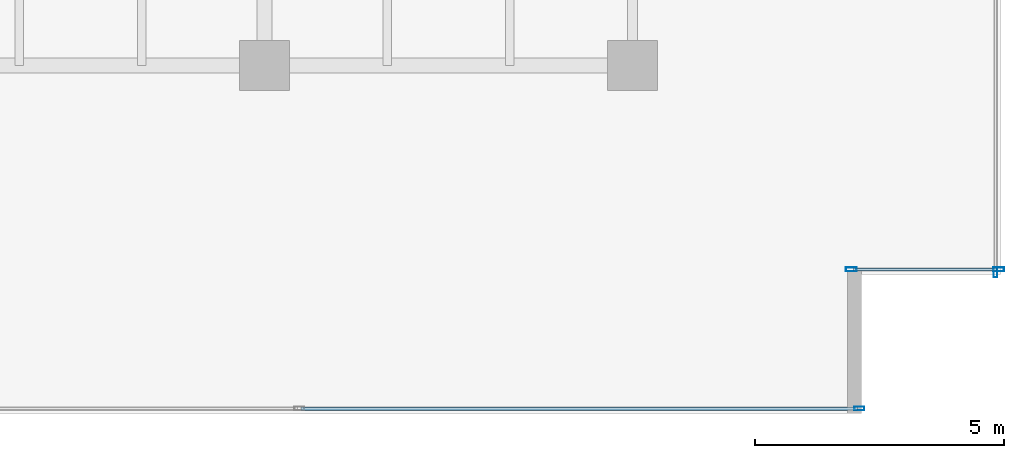
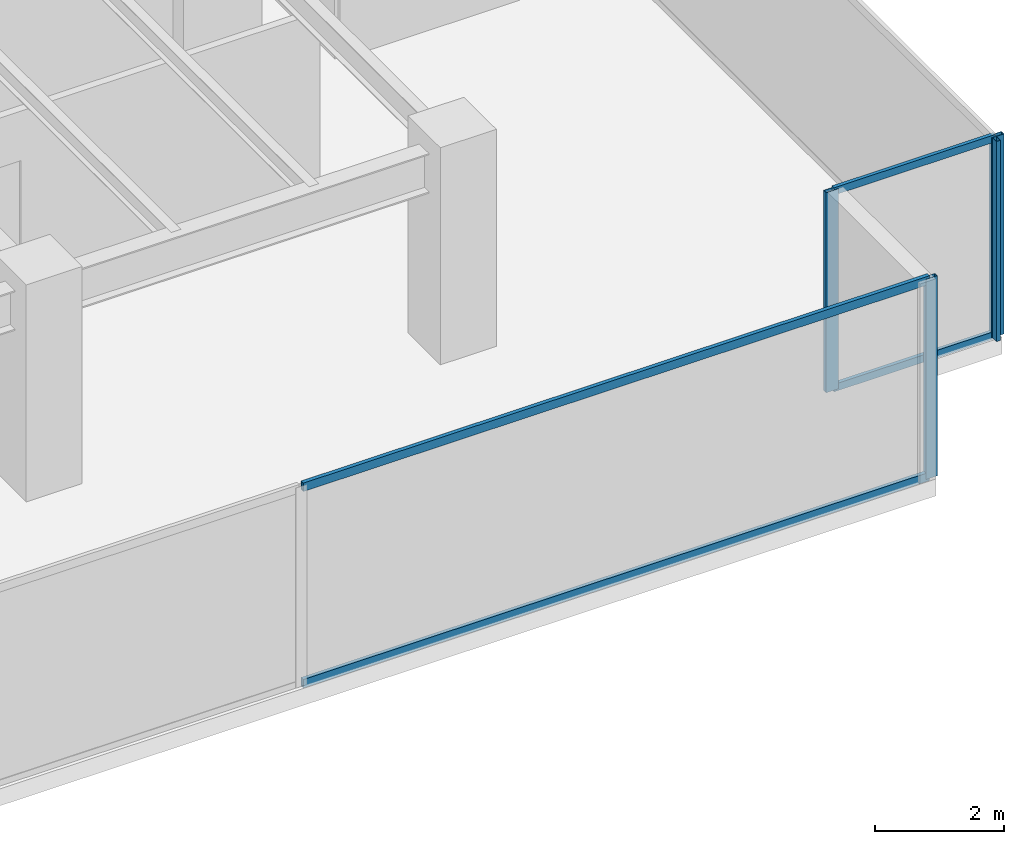
# One storey, part 23 of 35: 8 members, 3 elements without a shape of their own.
"""IFC4 building model written with IfcOpenShell, lengths in metres."""

from ifc_helpers import new_model, si_unit, direction, frame, origin, origin_2d, place, context, subcontext, project, spatial, hollow_rectangle, extrude, source, transform, mapped, material, layer, layer_set, material_profile, profile_set, type_object, type_shapes, element, aggregate, save


model = new_model("IFC4")

# Units and contexts
model_context = context("Model", 3, precision=1e-05, world=origin(), true_north=direction((0.0, 1.0)))
body_context = subcontext(model_context, "Body", "Model", "MODEL_VIEW")
ifc_project = project(units=[si_unit("LENGTHUNIT", "METRE"), si_unit("AREAUNIT", "SQUARE_METRE"), si_unit("VOLUMEUNIT", "CUBIC_METRE"), si_unit("PLANEANGLEUNIT", "RADIAN"), si_unit("MASSUNIT", "GRAM", prefix="KILO")], contexts=[model_context])

# Site, building, storey
site_placement = place(None, origin())
site = spatial("IfcSite", under=ifc_project, at=site_placement, CompositionType="ELEMENT")
building_placement = place(site_placement, origin())
building = spatial("IfcBuilding", under=site, at=building_placement, Name="Haelvirn Gate Laboratories", CompositionType="ELEMENT")
storey_placement = place(building_placement, frame((0.0, 0.0, 70.300048828125)))
storey = spatial("IfcBuildingStorey", under=building, at=storey_placement, Name="L17", CompositionType="ELEMENT", Elevation=70.300048828125)

# Curtain wall, member
ifc_material_1 = material(Name="Anodised bronze unitised aluminium & triple low-E glass", Category="aluminium")
ifc_layer_1 = layer(ifc_material_1, 0.18408203125, Name="CW-SYS-2")
ifc_layer_set_1 = layer_set([ifc_layer_1], Name="Anodised bronze unitised aluminium & triple low-E glass")
curtain_wall_type_1 = type_object("IfcCurtainWallType", Name="CW-SYS-2", PredefinedType="NOTDEFINED", material=ifc_layer_set_1)
curtain_wall_1_placement = place(storey_placement, origin())
curtain_wall_1 = element("IfcCurtainWall", 1, at=curtain_wall_1_placement, inside=storey, type_object=curtain_wall_type_1, Name="L17 Unitised Curtain Wall CW-L17-P0-E04-1", PredefinedType="NOTDEFINED")
ifc_material_2 = material(Name="Extruded aluminium 6063-T6 (anodised bronze)", Category="aluminium")
ifc_material_profile_1 = material_profile(ifc_material_2, hollow_rectangle(XDim=0.074951171875, YDim=0.199951171875, WallThickness=0.0048828125, at=origin_2d()), Name="CWM-200x75x5")
ifc_profile_set_1 = profile_set([ifc_material_profile_1], Name="Extruded aluminium 6063-T6 (anodised bronze)")
member_type_1 = type_object("IfcMemberType", Name="CWM-T200", PredefinedType="MULLION", material=ifc_profile_set_1)
shared_shape_1 = source(origin(), body_context, "Body", "SweptSolid", [
    extrude(hollow_rectangle(XDim=0.074951171875, YDim=0.199951171875, WallThickness=0.0048828125, at=origin_2d()), origin(), (0.0, 0.0, 1.0), 3.780029296875),
])
type_shapes(member_type_1, [shared_shape_1])
member_1_placement = place(storey_placement, frame((71.96240234375, 0.10009765625, 0.0), z_axis=(0.0, 0.0, 1.0), x_axis=(0.0, 1.0, 0.0)))
member_1 = element("IfcMember", 2, at=member_1_placement, type_object=member_type_1, Name="CW2 mullion 3", PredefinedType="MULLION", context=body_context, shape_type="MappedRepresentation", body=[
    mapped(shared_shape_1, transform((0.0, 0.0, 0.0), scale=1.0)),
])

curtain_wall_2_placement = place(storey_placement, origin())
curtain_wall_2 = element("IfcCurtainWall", 3, at=curtain_wall_2_placement, inside=storey, type_object=curtain_wall_type_1, Name="L17 Unitised Curtain Wall CW-L17-P0-E07", PredefinedType="NOTDEFINED")
member_2_placement = place(storey_placement, frame((74.699951171875, 2.83740234375, 0.0), z_axis=(0.0, 0.0, 1.0), x_axis=(-1.0, 0.0, 0.0)))
member_2 = element("IfcMember", 4, at=member_2_placement, type_object=member_type_1, Name="CW2 mullion 1", PredefinedType="MULLION", context=body_context, shape_type="MappedRepresentation", body=[
    mapped(shared_shape_1, transform((0.0, 0.0, 0.0), scale=1.0)),
])
aggregate(curtain_wall_2, [member_2])

# Member
ifc_material_profile_2 = material_profile(ifc_material_2, hollow_rectangle(XDim=0.070068359375, YDim=0.159912109375, WallThickness=0.0048828125, at=origin_2d()), Name="CWT-160x70x5")
ifc_profile_set_2 = profile_set([ifc_material_profile_2], Name="Extruded aluminium 6063-T6 (anodised bronze)")
member_type_2 = type_object("IfcMemberType", Name="CWT-T160", PredefinedType="USERDEFINED", material=ifc_profile_set_2)
shared_shape_2 = source(origin(), body_context, "Body", "SweptSolid", [
    extrude(hollow_rectangle(XDim=0.070068359375, YDim=0.159912109375, WallThickness=0.0048828125, at=origin_2d()), origin(), (0.0, 0.0, 1.0), 11.1875),
])
type_shapes(member_type_2, [shared_shape_2])
member_3_placement = place(storey_placement, frame((60.737548828125, 0.10009765625, 0.034912109375), z_axis=(1.0, 0.0, 0.0), x_axis=(0.0, 1.0, 0.0)))
member_3 = element("IfcMember", 5, at=member_3_placement, type_object=member_type_2, Name="CW2 transom 2.1", ObjectType="TRANSOM", PredefinedType="USERDEFINED", context=body_context, shape_type="MappedRepresentation", body=[
    mapped(shared_shape_2, transform((0.0, 0.0, 0.0), scale=1.0)),
])

member_4_placement = place(storey_placement, frame((60.737548828125, 0.10009765625, 3.744873046875), z_axis=(1.0, 0.0, 0.0), x_axis=(0.0, 1.0, 0.0)))
member_4 = element("IfcMember", 6, at=member_4_placement, type_object=member_type_2, Name="CW2 transom 2.2", ObjectType="TRANSOM", PredefinedType="USERDEFINED", context=body_context, shape_type="MappedRepresentation", body=[
    mapped(shared_shape_2, transform((0.0, 0.0, 0.0), scale=1.0)),
])

aggregate(curtain_wall_1, [member_1, member_3, member_4])

# Curtain wall, members
ifc_layer_2 = layer(ifc_material_1, 0.181884765625, Name="CW-SYS-5")
ifc_layer_set_2 = layer_set([ifc_layer_2], Name="Anodised bronze unitised aluminium & triple low-E glass")
curtain_wall_type_2 = type_object("IfcCurtainWallType", Name="CW-SYS-5", PredefinedType="NOTDEFINED", material=ifc_layer_set_2)
curtain_wall_3_placement = place(storey_placement, origin())
curtain_wall_3 = element("IfcCurtainWall", 7, at=curtain_wall_3_placement, inside=storey, type_object=curtain_wall_type_2, Name="L17 Unitised Curtain Wall CW-L17-P0-E06-1", PredefinedType="NOTDEFINED")
ifc_material_profile_3 = material_profile(ifc_material_2, hollow_rectangle(XDim=0.080078125, YDim=0.219970703125, WallThickness=0.006103515625, at=origin_2d()), Name="CWM-220x80x6")
ifc_profile_set_3 = profile_set([ifc_material_profile_3], Name="Extruded aluminium 6063-T6 (anodised bronze)")
member_type_3 = type_object("IfcMemberType", Name="CWM-T220", PredefinedType="MULLION", material=ifc_profile_set_3)
shared_shape_3 = source(origin(), body_context, "Body", "SweptSolid", [
    extrude(hollow_rectangle(XDim=0.080078125, YDim=0.219970703125, WallThickness=0.006103515625, at=origin_2d()), origin(), (0.0, 0.0, 1.0), 3.780029296875),
])
type_shapes(member_type_3, [shared_shape_3])
member_5_placement = place(storey_placement, frame((71.800048828125, 2.89990234375, 0.0), z_axis=(0.0, 0.0, 1.0), x_axis=(0.0, 1.0, 0.0)))
member_5 = element("IfcMember", 8, at=member_5_placement, type_object=member_type_3, Name="CW5 mullion 1", PredefinedType="MULLION", context=body_context, shape_type="MappedRepresentation", body=[
    mapped(shared_shape_3, transform((0.0, 0.0, 0.0), scale=1.0)),
])
member_6_placement = place(storey_placement, frame((74.760009765625, 2.89990234375, 0.0), z_axis=(0.0, 0.0, 1.0), x_axis=(0.0, 1.0, 0.0)))
member_6 = element("IfcMember", 9, at=member_6_placement, type_object=member_type_3, Name="CW5 mullion 2", PredefinedType="MULLION", context=body_context, shape_type="MappedRepresentation", body=[
    mapped(shared_shape_3, transform((0.0, 0.0, 0.0), scale=1.0)),
])
ifc_material_profile_4 = material_profile(ifc_material_2, hollow_rectangle(XDim=0.06494140625, YDim=0.139892578125, WallThickness=0.00390625, at=origin_2d()), Name="CWT-140x65x4")
ifc_profile_set_4 = profile_set([ifc_material_profile_4], Name="Extruded aluminium 6063-T6 (anodised bronze)")
member_type_4 = type_object("IfcMemberType", Name="CWT-T140", PredefinedType="USERDEFINED", material=ifc_profile_set_4)
shared_shape_4 = source(origin(), body_context, "Body", "SweptSolid", [
    extrude(hollow_rectangle(XDim=0.06494140625, YDim=0.139892578125, WallThickness=0.00390625, at=origin_2d()), origin(), (0.0, 0.0, 1.0), 2.8798828125),
])
type_shapes(member_type_4, [shared_shape_4])
member_7_placement = place(storey_placement, frame((71.840087890625, 2.89990234375, 0.032470703125), z_axis=(1.0, 0.0, 0.0), x_axis=(0.0, 1.0, 0.0)))
member_7 = element("IfcMember", 10, at=member_7_placement, type_object=member_type_4, Name="CW5 transom 1.1", ObjectType="TRANSOM", PredefinedType="USERDEFINED", context=body_context, shape_type="MappedRepresentation", body=[
    mapped(shared_shape_4, transform((0.0, 0.0, 0.0), scale=1.0)),
])
member_8_placement = place(storey_placement, frame((71.840087890625, 2.89990234375, 3.74755859375), z_axis=(1.0, 0.0, 0.0), x_axis=(0.0, 1.0, 0.0)))
member_8 = element("IfcMember", 11, at=member_8_placement, type_object=member_type_4, Name="CW5 transom 1.2", ObjectType="TRANSOM", PredefinedType="USERDEFINED", context=body_context, shape_type="MappedRepresentation", body=[
    mapped(shared_shape_4, transform((0.0, 0.0, 0.0), scale=1.0)),
])
aggregate(curtain_wall_3, [member_5, member_6, member_7, member_8])

save(model, "model.ifc")
